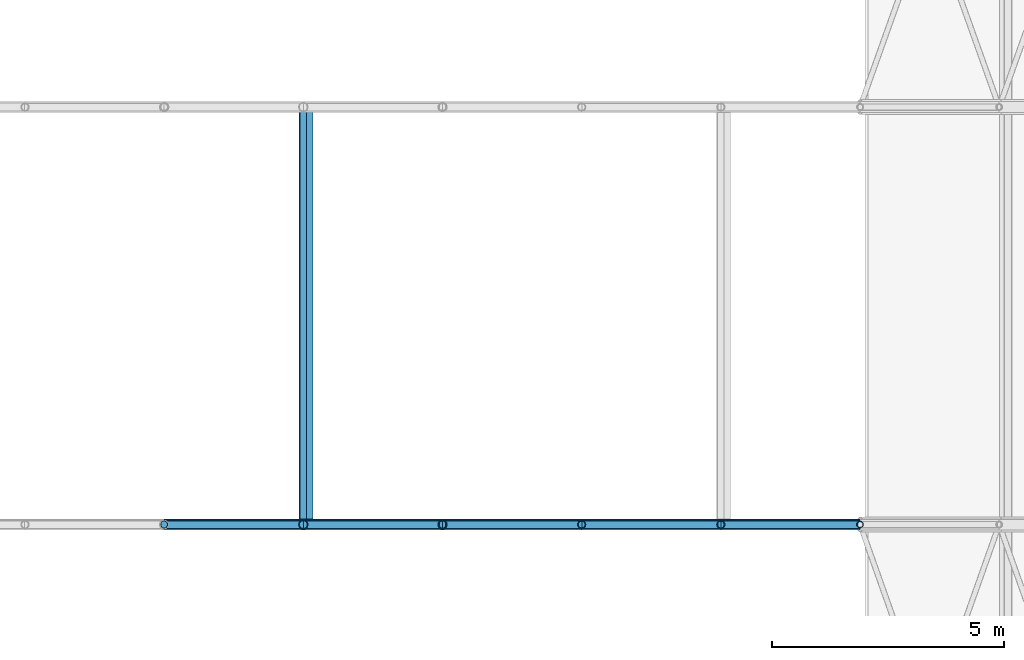
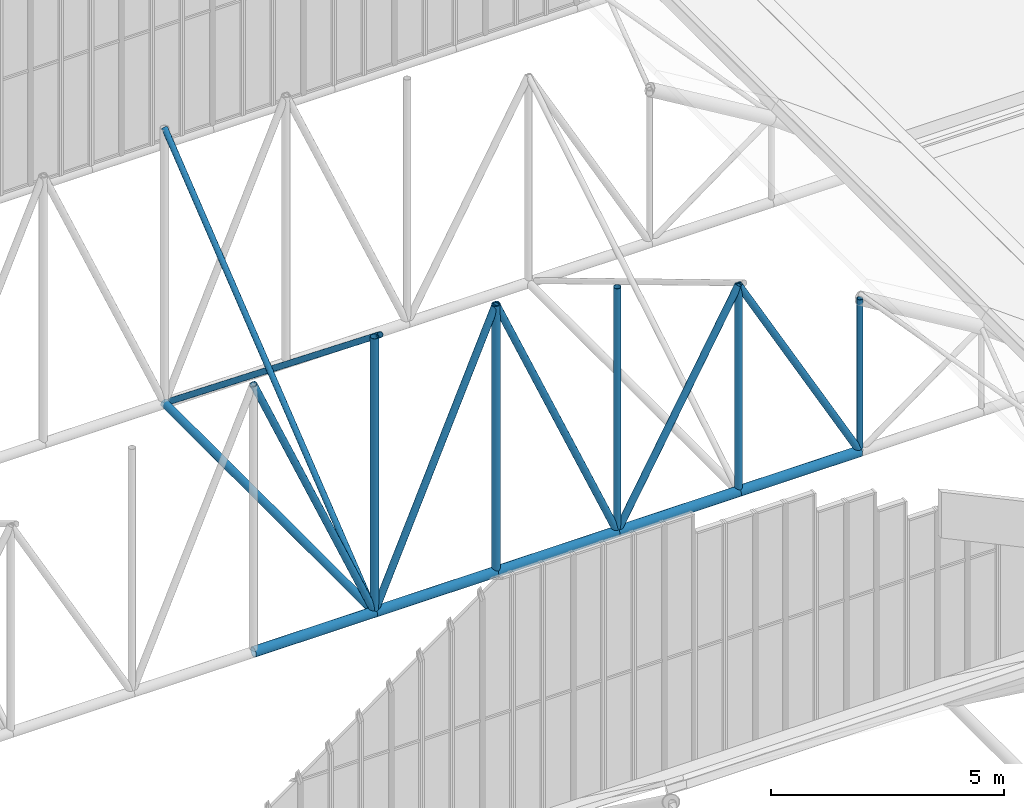
# One storey, part 72 of 153: 18 members.
"""IFC4 building model written with IfcOpenShell, lengths in metres."""

from ifc_helpers import new_model, si_unit, direction, frame, origin, origin_2d, place, context, subcontext, project, spatial, hollow_circle, extrude, material, material_profile, profile_set, type_object, element, save


model = new_model("IFC4")

# Units and contexts
model_context = context("Model", 3, precision=1e-05, world=origin(), true_north=direction((0.0, 1.0)))
body_context = subcontext(model_context, "Body", "Model", "MODEL_VIEW")
ifc_project = project(units=[si_unit("LENGTHUNIT", "METRE"), si_unit("AREAUNIT", "SQUARE_METRE"), si_unit("VOLUMEUNIT", "CUBIC_METRE"), si_unit("PLANEANGLEUNIT", "RADIAN"), si_unit("MASSUNIT", "GRAM", prefix="KILO")], contexts=[model_context])

# Site, building, storey
site_placement = place(None, origin())
site = spatial("IfcSite", under=ifc_project, at=site_placement, CompositionType="ELEMENT")
building_placement = place(site_placement, origin())
building = spatial("IfcBuilding", under=site, at=building_placement, Name="Baradari Gate Terminus", CompositionType="ELEMENT")
storey_placement = place(building_placement, frame((0.0, 0.0, 11.699951171875)))
storey = spatial("IfcBuildingStorey", under=building, at=storey_placement, Name="L02", CompositionType="ELEMENT", Elevation=11.699951171875)

# Members
ifc_material_1 = material(Name="Steel S355", Category="steel")
ifc_material_profile_1 = material_profile(ifc_material_1, hollow_circle(Radius=0.084228515625, WallThickness=0.008056640625, at=origin_2d()), Name="CHS 168.3x8")
ifc_profile_set_1 = profile_set([ifc_material_profile_1], Name="Steel S355")
member_type_1 = type_object("IfcMemberType", Name="Hall vault diagonal CHS 168.3x8", PredefinedType="BRACE", material=ifc_profile_set_1)
for number, where, z_axis, x_axis, name in (
    (1, (150.0, 90.0, 7.122314453125), (0.393919298579, 0.0, -0.919145030018), (0.0, 1.0, 0.0), "TR/L02/VT2-DG05"),
    (2, (156.0, 90.0, 7.122314453125), (-0.393919298579, 0.0, -0.919145030018), (0.0, -1.0, 0.0), "TR/L02/VT2-DG06"),
    (3, (156.0, 90.0, 7.122314453125), (0.393919298579, 0.0, -0.919145030018), (0.0, 1.0, 0.0), "TR/L02/VT2-DG07"),
):
    element("IfcMember", number, at=place(storey_placement, frame(where, z_axis=z_axis, x_axis=x_axis)), inside=storey, type_object=member_type_1, Name=name, PredefinedType="BRACE", context=body_context, shape_type="SweptSolid", body=[
        extrude(hollow_circle(Radius=0.084228515625, WallThickness=0.008056640625, at=origin_2d()), origin(), (0.0, 0.0, 1.0), 7.61572265625),
    ])
for number, where, z_axis, x_axis, name in (
    (4, (162.0, 90.0, 5.522216796875), (-0.485649642493, 0.0, -0.87415354758), (0.0, -1.0, 0.0), "TR/L02/VT2-DG08"),
    (5, (162.0, 90.0, 5.522216796875), (0.485649642493, 0.0, -0.87415354758), (0.0, 1.0, 0.0), "TR/L02/VT2-DG09"),
):
    element("IfcMember", number, at=place(storey_placement, frame(where, z_axis=z_axis, x_axis=x_axis)), inside=storey, type_object=member_type_1, Name=name, PredefinedType="BRACE", context=body_context, shape_type="SweptSolid", body=[
        extrude(hollow_circle(Radius=0.084228515625, WallThickness=0.008056640625, at=origin_2d()), origin(), (0.0, 0.0, 1.0), 6.17724609375),
    ])
ifc_material_2 = material(Name="Steel S355", Category="steel")
ifc_material_profile_2 = material_profile(ifc_material_2, hollow_circle(Radius=0.06982421875, WallThickness=0.008056640625, at=origin_2d()), Name="CHS 139.7x8")
ifc_profile_set_2 = profile_set([ifc_material_profile_2], Name="Steel S355")
member_type_2 = type_object("IfcMemberType", Name="Hall vault post CHS 139.7x8", PredefinedType="POST", material=ifc_profile_set_2)
member_1_placement = place(storey_placement, frame((165.0, 90.0, 0.122314453125), z_axis=(0.0, 0.0, 1.0), x_axis=(1.0, 0.0, 0.0)))
element("IfcMember", 6, at=member_1_placement, inside=storey, type_object=member_type_2, Name="TR/L02/VT2-PS10", PredefinedType="POST", context=body_context, shape_type="SweptSolid", body=[
    extrude(hollow_circle(Radius=0.06982421875, WallThickness=0.008056640625, at=origin_2d()), origin(), (0.0, 0.0, 1.0), 4.0),
])
ifc_material_3 = material(Name="Steel S355", Category="steel")
ifc_material_profile_3 = material_profile(ifc_material_3, hollow_circle(Radius=0.084228515625, WallThickness=0.008056640625, at=origin_2d()), Name="CHS 168.3x8")
ifc_profile_set_3 = profile_set([ifc_material_profile_3], Name="Steel S355")
member_type_3 = type_object("IfcMemberType", Name="Hall vault post CHS 168.3x8", PredefinedType="POST", material=ifc_profile_set_3)
member_2_placement = place(storey_placement, frame((159.0, 90.0, 0.122314453125), z_axis=(0.0, 0.0, 1.0), x_axis=(1.0, 0.0, 0.0)))
element("IfcMember", 7, at=member_2_placement, inside=storey, type_object=member_type_3, Name="TR/L02/VT2-PS08", PredefinedType="POST", context=body_context, shape_type="SweptSolid", body=[
    extrude(hollow_circle(Radius=0.084228515625, WallThickness=0.008056640625, at=origin_2d()), origin(), (0.0, 0.0, 1.0), 6.39990234375),
])
member_3_placement = place(storey_placement, frame((162.0, 90.0, 0.122314453125), z_axis=(0.0, 0.0, 1.0), x_axis=(1.0, 0.0, 0.0)))
element("IfcMember", 8, at=member_3_placement, inside=storey, type_object=member_type_3, Name="TR/L02/VT2-PS09", PredefinedType="POST", context=body_context, shape_type="SweptSolid", body=[
    extrude(hollow_circle(Radius=0.084228515625, WallThickness=0.008056640625, at=origin_2d()), origin(), (0.0, 0.0, 1.0), 5.39990234375),
])
ifc_material_4 = material(Name="Steel S355", Category="steel")
ifc_material_profile_4 = material_profile(ifc_material_4, hollow_circle(Radius=0.096923828125, WallThickness=0.008056640625, at=origin_2d()), Name="CHS 193.7x8")
ifc_profile_set_4 = profile_set([ifc_material_profile_4], Name="Steel S355")
member_type_4 = type_object("IfcMemberType", Name="Hall vault post CHS 193.7x8", PredefinedType="POST", material=ifc_profile_set_4)
member_4_placement = place(storey_placement, frame((153.0, 90.0, 0.122314453125), z_axis=(0.0, 0.0, 1.0), x_axis=(1.0, 0.0, 0.0)))
element("IfcMember", 9, at=member_4_placement, inside=storey, type_object=member_type_4, Name="TR/L02/VT2-PS06", PredefinedType="POST", context=body_context, shape_type="SweptSolid", body=[
    extrude(hollow_circle(Radius=0.096923828125, WallThickness=0.008056640625, at=origin_2d()), origin(), (0.0, 0.0, 1.0), 7.199951171875),
])
member_5_placement = place(storey_placement, frame((156.0, 90.0, 0.122314453125), z_axis=(0.0, 0.0, 1.0), x_axis=(1.0, 0.0, 0.0)))
element("IfcMember", 10, at=member_5_placement, inside=storey, type_object=member_type_4, Name="TR/L02/VT2-PS07", PredefinedType="POST", context=body_context, shape_type="SweptSolid", body=[
    extrude(hollow_circle(Radius=0.096923828125, WallThickness=0.008056640625, at=origin_2d()), origin(), (0.0, 0.0, 1.0), 7.0),
])
ifc_material_5 = material(Name="Steel S355", Category="steel")
ifc_material_profile_5 = material_profile(ifc_material_5, hollow_circle(Radius=0.122314453125, WallThickness=0.010009765625, at=origin_2d()), Name="CHS 244.5x10")
ifc_profile_set_5 = profile_set([ifc_material_profile_5], Name="Steel S355")
member_type_5 = type_object("IfcMemberType", Name="Hall vault tie CHS 244.5x10", PredefinedType="CHORD", material=ifc_profile_set_5)
for number, where, z_axis, x_axis, name in (
    (11, (150.0, 90.0, 0.122314453125), (1.0, 0.0, 0.0), (0.0, 1.0, 0.0), "TR/L02/VT2-BC05"),
    (12, (153.0, 90.0, 0.122314453125), (1.0, 0.0, 0.0), (0.0, 1.0, 0.0), "TR/L02/VT2-BC06"),
    (13, (156.0, 90.0, 0.122314453125), (1.0, 0.0, 0.0), (0.0, 1.0, 0.0), "TR/L02/VT2-BC07"),
    (14, (159.0, 90.0, 0.122314453125), (1.0, 0.0, 0.0), (0.0, 1.0, 0.0), "TR/L02/VT2-BC08"),
    (15, (162.0, 90.0, 0.122314453125), (1.0, 0.0, 0.0), (0.0, 1.0, 0.0), "TR/L02/VT2-BC09"),
):
    element("IfcMember", number, at=place(storey_placement, frame(where, z_axis=z_axis, x_axis=x_axis)), inside=storey, type_object=member_type_5, Name=name, PredefinedType="CHORD", context=body_context, shape_type="SweptSolid", body=[
        extrude(hollow_circle(Radius=0.122314453125, WallThickness=0.010009765625, at=origin_2d()), origin(), (0.0, 0.0, 1.0), 3.0),
    ])
ifc_material_6 = material(Name="Steel S355", Category="steel")
ifc_material_profile_6 = material_profile(ifc_material_6, hollow_circle(Radius=0.096923828125, WallThickness=0.008056640625, at=origin_2d()), Name="CHS 193.7x8")
ifc_profile_set_6 = profile_set([ifc_material_profile_6], Name="Steel S355")
member_type_6 = type_object("IfcMemberType", Name="Shed bottom strut CHS 193.7x8", PredefinedType="STRUT", material=ifc_profile_set_6)
member_6_placement = place(storey_placement, frame((153.0, 90.0, 0.122314453125), z_axis=(0.0, 1.0, 0.0), x_axis=(-1.0, 0.0, 0.0)))
element("IfcMember", 16, at=member_6_placement, inside=storey, type_object=member_type_6, Name="TR/L02/VPB2-ST06", PredefinedType="STRUT", context=body_context, shape_type="SweptSolid", body=[
    extrude(hollow_circle(Radius=0.096923828125, WallThickness=0.008056640625, at=origin_2d()), origin(), (0.0, 0.0, 1.0), 9.0),
])
ifc_material_7 = material(Name="Steel S355", Category="steel")
ifc_material_profile_7 = material_profile(ifc_material_7, hollow_circle(Radius=0.06982421875, WallThickness=0.008056640625, at=origin_2d()), Name="CHS 139.7x8")
ifc_profile_set_7 = profile_set([ifc_material_profile_7], Name="Steel S355")
member_type_7 = type_object("IfcMemberType", Name="Shed vertical brace CHS 139.7x8", PredefinedType="BRACE", material=ifc_profile_set_7)
for number, where, z_axis, x_axis, name in (
    (17, (153.0, 90.0, 0.122314453125), (0.0, 0.780870876022, 0.624692464322), (-1.0, 0.0, 0.0), "TR/L02/VPB2-VB06A"),
    (18, (153.1396484375, 90.0, 7.322265625), (0.0, 0.780870876022, -0.624692464322), (-1.0, 0.0, 0.0), "TR/L02/VPB2-VB06B"),
):
    element("IfcMember", number, at=place(storey_placement, frame(where, z_axis=z_axis, x_axis=x_axis)), inside=storey, type_object=member_type_7, Name=name, PredefinedType="BRACE", context=body_context, shape_type="SweptSolid", body=[
        extrude(hollow_circle(Radius=0.06982421875, WallThickness=0.008056640625, at=origin_2d()), origin(), (0.0, 0.0, 1.0), 11.525634765625),
    ])

save(model, "model.ifc")
